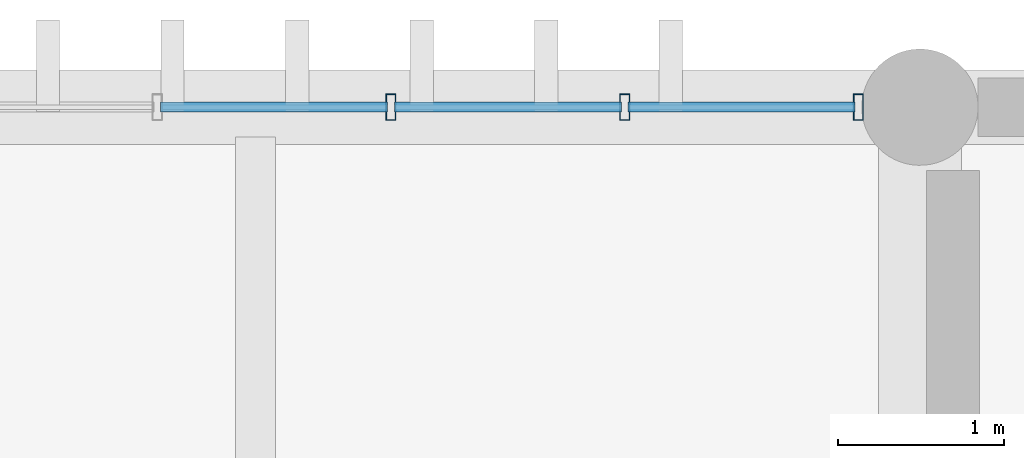
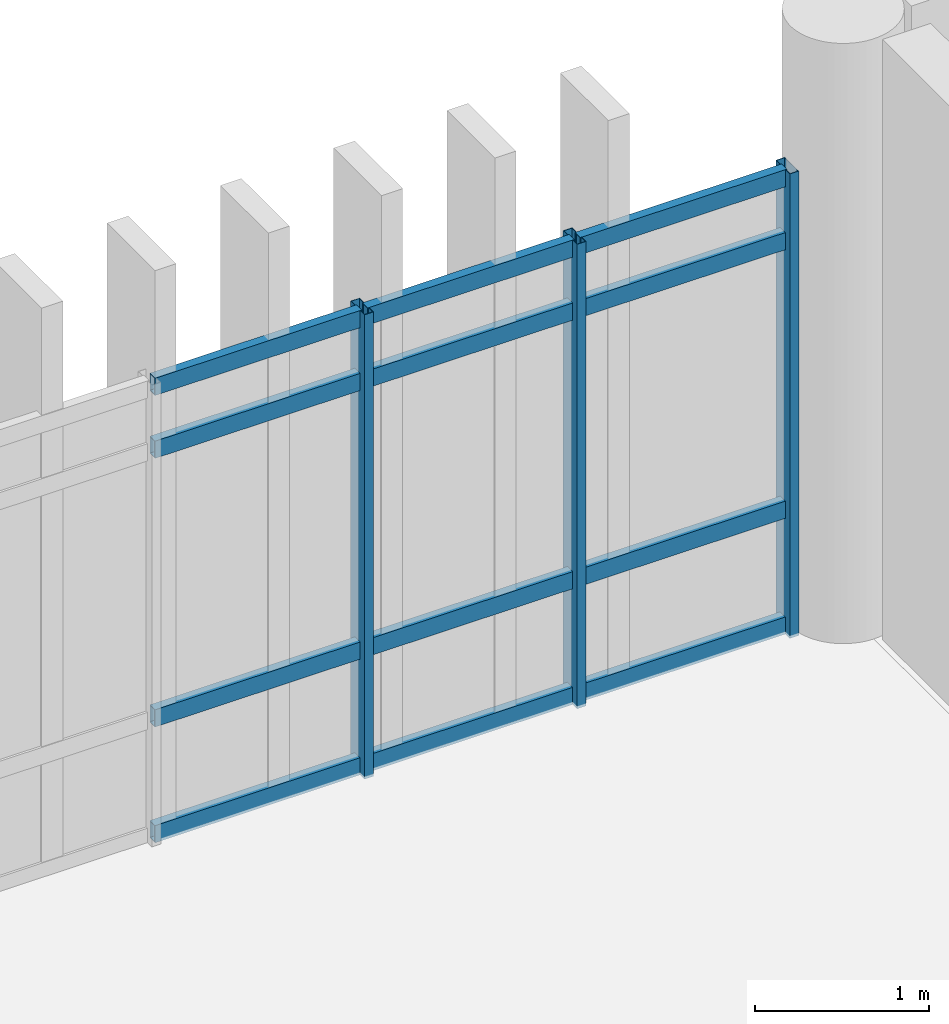
# One storey, part 35 of 82: 15 members, 1 element without a shape of its own.
"""IFC4 building model written with IfcOpenShell, lengths in metres."""

from ifc_helpers import new_model, si_unit, direction, frame, origin, origin_2d, place, context, subcontext, project, spatial, hollow_rectangle, extrude, material, layer, layer_set, material_profile, profile_set, type_object, element, aggregate, save


model = new_model("IFC4")

# Units and contexts
model_context = context("Model", 3, precision=1e-05, world=origin(), true_north=direction((0.0, 1.0)))
body_context = subcontext(model_context, "Body", "Model", "MODEL_VIEW")
ifc_project = project(units=[si_unit("LENGTHUNIT", "METRE"), si_unit("AREAUNIT", "SQUARE_METRE"), si_unit("VOLUMEUNIT", "CUBIC_METRE"), si_unit("PLANEANGLEUNIT", "RADIAN"), si_unit("MASSUNIT", "GRAM", prefix="KILO")], contexts=[model_context])

# Site, building, storey
site_placement = place(None, origin())
site = spatial("IfcSite", under=ifc_project, at=site_placement, CompositionType="ELEMENT")
building_placement = place(site_placement, origin())
building = spatial("IfcBuilding", under=site, at=building_placement, Name="Mersad Railyard Sports Hall", CompositionType="ELEMENT")
storey_placement = place(building_placement, frame((0.0, 0.0, 13.199951171875)))
storey = spatial("IfcBuildingStorey", under=building, at=storey_placement, Name="L03", CompositionType="ELEMENT", Elevation=13.199951171875)

# Curtain wall, members
ifc_material = material(Name="Aluminium 6063-T6", Category="aluminium")
ifc_layer = layer(ifc_material, 0.159912109375)
ifc_layer_set = layer_set([ifc_layer], Name="Aluminium 6063-T6")
curtain_wall_type = type_object("IfcCurtainWallType", Name="ARC-CW-CW57", PredefinedType="USERDEFINED", material=ifc_layer_set)
curtain_wall_placement = place(storey_placement, origin())
curtain_wall = element("IfcCurtainWall", 1, at=curtain_wall_placement, inside=storey, type_object=curtain_wall_type, Name="Curtain wall CW57-0152", ObjectType="CURTAIN WALL", PredefinedType="USERDEFINED")
ifc_material_profile_1 = material_profile(ifc_material, hollow_rectangle(XDim=0.06005859375, YDim=0.159912109375, WallThickness=0.00390625, at=origin_2d()), Name="AL MULLION 60x160x4")
ifc_profile_set_1 = profile_set([ifc_material_profile_1], Name="Aluminium 6063-T6")
member_type_1 = type_object("IfcMemberType", Name="ARC-CW-MUL01", PredefinedType="MULLION", material=ifc_profile_set_1)
member_1_placement = place(storey_placement, frame((87.81494140625, 115.0, -0.02001953125), z_axis=(0.0, 0.0, 1.0), x_axis=(1.0, 0.0, 0.0)))
member_1 = element("IfcMember", 2, at=member_1_placement, type_object=member_type_1, Name="CW57 Mullion 7", PredefinedType="MULLION", context=body_context, shape_type="SweptSolid", body=[
    extrude(hollow_rectangle(XDim=0.06005859375, YDim=0.159912109375, WallThickness=0.00390625, at=origin_2d()), origin(), (0.0, 0.0, 1.0), 3.25),
])
member_2_placement = place(storey_placement, frame((89.222412109375, 115.0, -0.02001953125), z_axis=(0.0, 0.0, 1.0), x_axis=(1.0, 0.0, 0.0)))
member_2 = element("IfcMember", 3, at=member_2_placement, type_object=member_type_1, Name="CW57 Mullion 8", PredefinedType="MULLION", context=body_context, shape_type="SweptSolid", body=[
    extrude(hollow_rectangle(XDim=0.06005859375, YDim=0.159912109375, WallThickness=0.00390625, at=origin_2d()), origin(), (0.0, 0.0, 1.0), 3.25),
])
member_3_placement = place(storey_placement, frame((90.6298828125, 115.0, -0.02001953125), z_axis=(0.0, 0.0, 1.0), x_axis=(1.0, 0.0, 0.0)))
member_3 = element("IfcMember", 4, at=member_3_placement, type_object=member_type_1, Name="CW57 Mullion 9", PredefinedType="MULLION", context=body_context, shape_type="SweptSolid", body=[
    extrude(hollow_rectangle(XDim=0.06005859375, YDim=0.159912109375, WallThickness=0.00390625, at=origin_2d()), origin(), (0.0, 0.0, 1.0), 3.25),
])
ifc_material_profile_2 = material_profile(ifc_material, hollow_rectangle(XDim=0.06005859375, YDim=0.1201171875, WallThickness=0.00390625, at=origin_2d()), Name="AL TRANSOM 60x120x4")
ifc_profile_set_2 = profile_set([ifc_material_profile_2], Name="Aluminium 6063-T6")
member_type_2 = type_object("IfcMemberType", Name="ARC-CW-TRN01", PredefinedType="USERDEFINED", material=ifc_profile_set_2)
member_4_placement = place(storey_placement, frame((86.427490234375, 115.0, 0.0400390625), z_axis=(1.0, 0.0, 0.0), x_axis=(0.0, 1.0, 0.0)))
member_4 = element("IfcMember", 5, at=member_4_placement, type_object=member_type_2, Name="CW57 Transom 1-6", ObjectType="TRANSOM", PredefinedType="USERDEFINED", context=body_context, shape_type="SweptSolid", body=[
    extrude(hollow_rectangle(XDim=0.06005859375, YDim=0.1201171875, WallThickness=0.00390625, at=origin_2d()), origin(), (0.0, 0.0, 1.0), 1.367431640625),
])
member_5_placement = place(storey_placement, frame((87.8349609375, 115.0, 0.0400390625), z_axis=(1.0, 0.0, 0.0), x_axis=(0.0, 1.0, 0.0)))
member_5 = element("IfcMember", 6, at=member_5_placement, type_object=member_type_2, Name="CW57 Transom 1-7", ObjectType="TRANSOM", PredefinedType="USERDEFINED", context=body_context, shape_type="SweptSolid", body=[
    extrude(hollow_rectangle(XDim=0.06005859375, YDim=0.1201171875, WallThickness=0.00390625, at=origin_2d()), origin(), (0.0, 0.0, 1.0), 1.367431640625),
])
member_6_placement = place(storey_placement, frame((89.242431640625, 115.0, 0.0400390625), z_axis=(1.0, 0.0, 0.0), x_axis=(0.0, 1.0, 0.0)))
member_6 = element("IfcMember", 7, at=member_6_placement, type_object=member_type_2, Name="CW57 Transom 1-8", ObjectType="TRANSOM", PredefinedType="USERDEFINED", context=body_context, shape_type="SweptSolid", body=[
    extrude(hollow_rectangle(XDim=0.06005859375, YDim=0.1201171875, WallThickness=0.00390625, at=origin_2d()), origin(), (0.0, 0.0, 1.0), 1.36767578125),
])
member_7_placement = place(storey_placement, frame((86.427490234375, 115.0, 0.85009765625), z_axis=(1.0, 0.0, 0.0), x_axis=(0.0, 1.0, 0.0)))
member_7 = element("IfcMember", 8, at=member_7_placement, type_object=member_type_2, Name="CW57 Transom 2-6", ObjectType="TRANSOM", PredefinedType="USERDEFINED", context=body_context, shape_type="SweptSolid", body=[
    extrude(hollow_rectangle(XDim=0.06005859375, YDim=0.1201171875, WallThickness=0.00390625, at=origin_2d()), origin(), (0.0, 0.0, 1.0), 1.367431640625),
])
member_8_placement = place(storey_placement, frame((87.8349609375, 115.0, 0.85009765625), z_axis=(1.0, 0.0, 0.0), x_axis=(0.0, 1.0, 0.0)))
member_8 = element("IfcMember", 9, at=member_8_placement, type_object=member_type_2, Name="CW57 Transom 2-7", ObjectType="TRANSOM", PredefinedType="USERDEFINED", context=body_context, shape_type="SweptSolid", body=[
    extrude(hollow_rectangle(XDim=0.06005859375, YDim=0.1201171875, WallThickness=0.00390625, at=origin_2d()), origin(), (0.0, 0.0, 1.0), 1.367431640625),
])
member_9_placement = place(storey_placement, frame((89.242431640625, 115.0, 0.85009765625), z_axis=(1.0, 0.0, 0.0), x_axis=(0.0, 1.0, 0.0)))
member_9 = element("IfcMember", 10, at=member_9_placement, type_object=member_type_2, Name="CW57 Transom 2-8", ObjectType="TRANSOM", PredefinedType="USERDEFINED", context=body_context, shape_type="SweptSolid", body=[
    extrude(hollow_rectangle(XDim=0.06005859375, YDim=0.1201171875, WallThickness=0.00390625, at=origin_2d()), origin(), (0.0, 0.0, 1.0), 1.36767578125),
])
member_10_placement = place(storey_placement, frame((86.427490234375, 115.0, 2.72998046875), z_axis=(1.0, 0.0, 0.0), x_axis=(0.0, 1.0, 0.0)))
member_10 = element("IfcMember", 11, at=member_10_placement, type_object=member_type_2, Name="CW57 Transom 3-6", ObjectType="TRANSOM", PredefinedType="USERDEFINED", context=body_context, shape_type="SweptSolid", body=[
    extrude(hollow_rectangle(XDim=0.06005859375, YDim=0.1201171875, WallThickness=0.00390625, at=origin_2d()), origin(), (0.0, 0.0, 1.0), 1.367431640625),
])
member_11_placement = place(storey_placement, frame((87.8349609375, 115.0, 2.72998046875), z_axis=(1.0, 0.0, 0.0), x_axis=(0.0, 1.0, 0.0)))
member_11 = element("IfcMember", 12, at=member_11_placement, type_object=member_type_2, Name="CW57 Transom 3-7", ObjectType="TRANSOM", PredefinedType="USERDEFINED", context=body_context, shape_type="SweptSolid", body=[
    extrude(hollow_rectangle(XDim=0.06005859375, YDim=0.1201171875, WallThickness=0.00390625, at=origin_2d()), origin(), (0.0, 0.0, 1.0), 1.367431640625),
])
member_12_placement = place(storey_placement, frame((89.242431640625, 115.0, 2.72998046875), z_axis=(1.0, 0.0, 0.0), x_axis=(0.0, 1.0, 0.0)))
member_12 = element("IfcMember", 13, at=member_12_placement, type_object=member_type_2, Name="CW57 Transom 3-8", ObjectType="TRANSOM", PredefinedType="USERDEFINED", context=body_context, shape_type="SweptSolid", body=[
    extrude(hollow_rectangle(XDim=0.06005859375, YDim=0.1201171875, WallThickness=0.00390625, at=origin_2d()), origin(), (0.0, 0.0, 1.0), 1.36767578125),
])
member_13_placement = place(storey_placement, frame((86.427490234375, 115.0, 3.170166015625), z_axis=(1.0, 0.0, 0.0), x_axis=(0.0, 1.0, 0.0)))
member_13 = element("IfcMember", 14, at=member_13_placement, type_object=member_type_2, Name="CW57 Transom 4-6", ObjectType="TRANSOM", PredefinedType="USERDEFINED", context=body_context, shape_type="SweptSolid", body=[
    extrude(hollow_rectangle(XDim=0.06005859375, YDim=0.1201171875, WallThickness=0.00390625, at=origin_2d()), origin(), (0.0, 0.0, 1.0), 1.367431640625),
])
member_14_placement = place(storey_placement, frame((87.8349609375, 115.0, 3.170166015625), z_axis=(1.0, 0.0, 0.0), x_axis=(0.0, 1.0, 0.0)))
member_14 = element("IfcMember", 15, at=member_14_placement, type_object=member_type_2, Name="CW57 Transom 4-7", ObjectType="TRANSOM", PredefinedType="USERDEFINED", context=body_context, shape_type="SweptSolid", body=[
    extrude(hollow_rectangle(XDim=0.06005859375, YDim=0.1201171875, WallThickness=0.00390625, at=origin_2d()), origin(), (0.0, 0.0, 1.0), 1.367431640625),
])
member_15_placement = place(storey_placement, frame((89.242431640625, 115.0, 3.170166015625), z_axis=(1.0, 0.0, 0.0), x_axis=(0.0, 1.0, 0.0)))
member_15 = element("IfcMember", 16, at=member_15_placement, type_object=member_type_2, Name="CW57 Transom 4-8", ObjectType="TRANSOM", PredefinedType="USERDEFINED", context=body_context, shape_type="SweptSolid", body=[
    extrude(hollow_rectangle(XDim=0.06005859375, YDim=0.1201171875, WallThickness=0.00390625, at=origin_2d()), origin(), (0.0, 0.0, 1.0), 1.36767578125),
])
aggregate(curtain_wall, [member_1, member_2, member_3, member_4, member_5, member_6, member_7, member_8, member_9, member_10, member_11, member_12, member_13, member_14, member_15])

save(model, "model.ifc")
